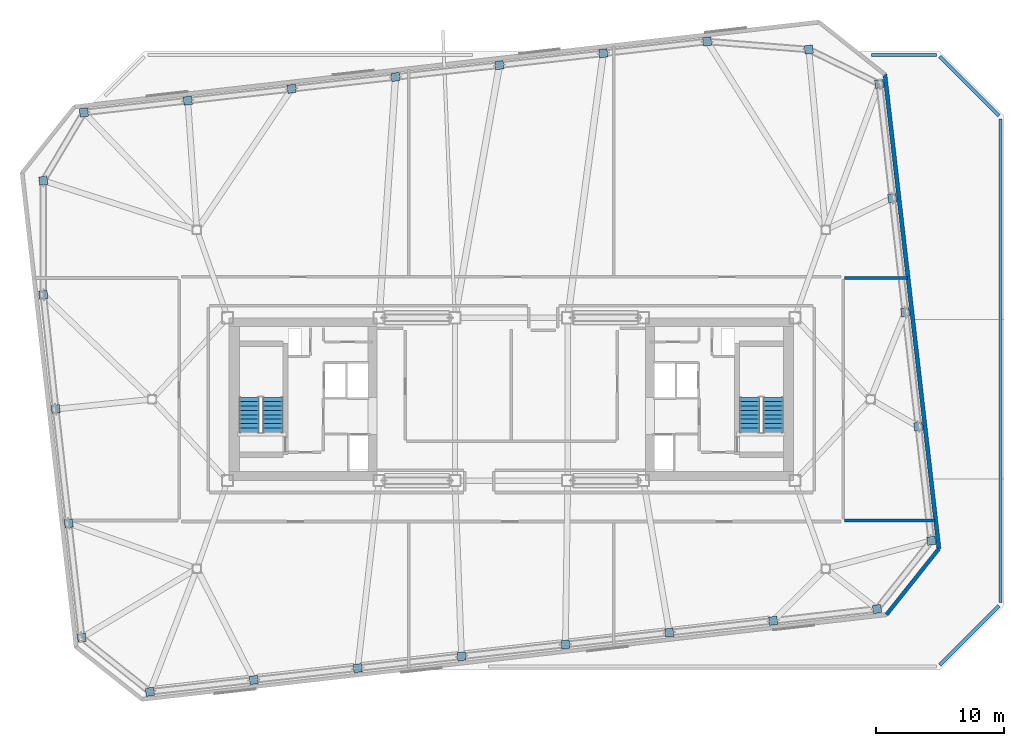
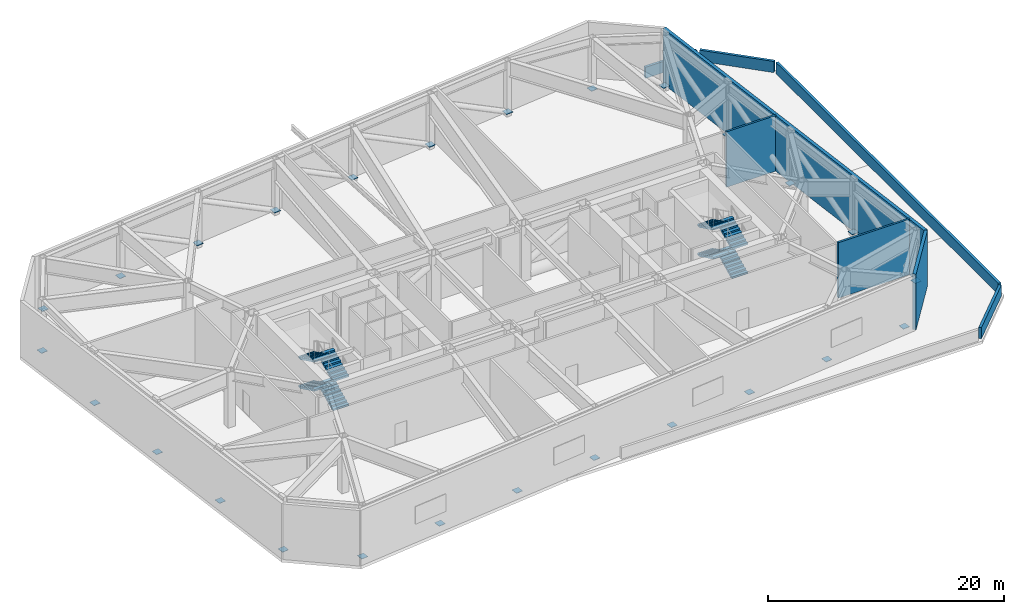
# One storey, part 8 of 13: 26 discrete accessories, 8 stair flights, 8 walls, 2 elements without a shape of their own.
"""IFC4 building model written with IfcOpenShell, lengths in metres."""

from ifc_helpers import new_model, si_unit, direction, frame, frame_2d, origin, origin_2d, place, context, subcontext, project, spatial, polyline, rectangle, outline, extrude, material, layer, layer_set, type_object, element, aggregate, save


model = new_model("IFC4")

# Units and contexts
model_context = context("Model", 3, precision=1e-05, world=origin(), true_north=direction((0.0, 1.0)))
body_context = subcontext(model_context, "Body", "Model", "MODEL_VIEW")
ifc_project = project(units=[si_unit("LENGTHUNIT", "METRE"), si_unit("AREAUNIT", "SQUARE_METRE"), si_unit("VOLUMEUNIT", "CUBIC_METRE"), si_unit("PLANEANGLEUNIT", "RADIAN"), si_unit("MASSUNIT", "GRAM", prefix="KILO")], contexts=[model_context])

# Site, building, storey
site_placement = place(None, origin())
site = spatial("IfcSite", under=ifc_project, at=site_placement, CompositionType="ELEMENT")
building_placement = place(site_placement, origin())
building = spatial("IfcBuilding", under=site, at=building_placement, Name="Tavrogorsk Clinical Tower", CompositionType="ELEMENT")
storey_placement = place(building_placement, frame((0.0, 0.0, 208.199951171875)))
storey = spatial("IfcBuildingStorey", under=building, at=storey_placement, Name="L48", CompositionType="ELEMENT", Elevation=208.199951171875)

# Walls
ifc_material_1 = material(Name="Concrete B60", Category="concrete")
ifc_layer_1 = layer(ifc_material_1, 0.199951171875)
ifc_layer_set_1 = layer_set([ifc_layer_1], Name="Concrete B60")
wall_type_1 = type_object("IfcWallType", Name="CoreFireWall_200", PredefinedType="SOLIDWALL", material=ifc_layer_set_1)
wall_1_placement = place(storey_placement, frame((25.985107421875, -9.449951171875, 0.0), z_axis=(0.0, 0.0, 1.0), x_axis=(1.0, 0.0, 0.0)))
element("IfcWall", 1, at=wall_1_placement, inside=storey, type_object=wall_type_1, Name="L48 Refuge & Plant Fire Wall 2", PredefinedType="SOLIDWALL", context=body_context, shape_type="SweptSolid", body=[
    extrude(rectangle(XDim=7.031982421875, YDim=0.199951171875, at=frame_2d((3.51611328125, 0.0))), origin(), (0.0, 0.0, 1.0), 5.739990234375),
])
wall_2_placement = place(storey_placement, frame((25.985107421875, 9.449951171875, 0.0), z_axis=(0.0, 0.0, 1.0), x_axis=(1.0, 0.0, 0.0)))
element("IfcWall", 2, at=wall_2_placement, inside=storey, type_object=wall_type_1, Name="L48 Refuge & Plant Fire Wall 4", PredefinedType="SOLIDWALL", context=body_context, shape_type="SweptSolid", body=[
    extrude(rectangle(XDim=4.878662109375, YDim=0.199951171875, at=frame_2d((2.439453125, 0.0))), origin(), (0.0, 0.0, 1.0), 5.739990234375),
])
ifc_material_2 = material(Name="Precast concrete B45 acoustic plenum wall", Category="concrete")
ifc_layer_2 = layer(ifc_material_2, 0.320068359375)
ifc_layer_set_2 = layer_set([ifc_layer_2], Name="Precast concrete B45 acoustic plenum wall")
wall_type_2 = type_object("IfcWallType", Name="PlantLouvreWall_320", PredefinedType="STANDARD", material=ifc_layer_set_2)
wall_3_placement = place(storey_placement, frame((33.328125, -11.649658203125, 0.0), z_axis=(0.0, 0.0, 1.0), x_axis=(-0.11320360501, 0.9935718111, 0.0)))
element("IfcWall", 3, at=wall_3_placement, inside=storey, type_object=wall_type_2, Name="L48 E Pleated Limestone Wing Wall", PredefinedType="STANDARD", context=body_context, shape_type="SweptSolid", body=[
    extrude(rectangle(XDim=37.199951171875, YDim=0.320068359375, at=frame_2d((18.60009765625, 0.0))), origin(), (0.0, 0.0, 1.0), 5.739990234375),
])
ifc_material_3 = material(Name="Concrete B60", Category="concrete")
ifc_layer_3 = layer(ifc_material_3, 0.25)
ifc_layer_set_3 = layer_set([ifc_layer_3], Name="Concrete B60")
wall_type_3 = type_object("IfcWallType", Name="RoofParapetWall_250", PredefinedType="PARAPET", material=ifc_layer_set_3)
wall_4_placement = place(storey_placement, frame((28.075927734375, 26.820068359375, 0.0), z_axis=(0.0, 0.0, 1.0), x_axis=(1.0, 0.0, 0.0)))
element("IfcWall", 4, at=wall_4_placement, inside=storey, type_object=wall_type_3, Name="L48 Setback Coping Parapet 3", PredefinedType="PARAPET", context=body_context, shape_type="SweptSolid", body=[
    extrude(rectangle(XDim=5.048095703125, YDim=0.25, at=frame_2d((2.52392578125, 0.0))), origin(), (0.0, 0.0, 1.0), 1.150146484375),
])
wall_5_placement = place(storey_placement, frame((33.397216796875, 26.706787109375, 0.0), z_axis=(0.0, 0.0, 1.0), x_axis=(0.707106781187, -0.707106781187, 0.0)))
element("IfcWall", 5, at=wall_5_placement, inside=storey, type_object=wall_type_3, Name="L48 Setback Coping Parapet 4", PredefinedType="PARAPET", context=body_context, shape_type="SweptSolid", body=[
    extrude(rectangle(XDim=6.51904296875, YDim=0.25, at=frame_2d((3.259521484375, 0.0))), origin(), (0.0, 0.0, 1.0), 1.150146484375),
])
wall_6_placement = place(storey_placement, frame((38.1201171875, 21.823974609375, 0.0), z_axis=(0.0, 0.0, 1.0), x_axis=(0.0, -1.0, 0.0)))
element("IfcWall", 6, at=wall_6_placement, inside=storey, type_object=wall_type_3, Name="L48 Setback Coping Parapet 5", PredefinedType="PARAPET", context=body_context, shape_type="SweptSolid", body=[
    extrude(rectangle(XDim=37.64794921875, YDim=0.25, at=frame_2d((18.823974609375, 0.0))), origin(), (0.0, 0.0, 1.0), 1.150146484375),
])
wall_7_placement = place(storey_placement, frame((38.0068359375, -16.09716796875, 0.0), z_axis=(0.0, 0.0, 1.0), x_axis=(-0.707106781187, -0.707106781187, 0.0)))
element("IfcWall", 7, at=wall_7_placement, inside=storey, type_object=wall_type_3, Name="L48 Setback Coping Parapet 6", PredefinedType="PARAPET", context=body_context, shape_type="SweptSolid", body=[
    extrude(rectangle(XDim=6.51904296875, YDim=0.25, at=frame_2d((3.259521484375, 0.0))), origin(), (0.0, 0.0, 1.0), 1.150146484375),
])
ifc_material_4 = material(Name="Precast concrete B45 with mineral wool", Category="concrete")
ifc_layer_4 = layer(ifc_material_4, 0.300048828125)
ifc_layer_set_4 = layer_set([ifc_layer_4], Name="Precast concrete B45 with mineral wool")
wall_type_4 = type_object("IfcWallType", Name="SpandrelBackWall_300", PredefinedType="STANDARD", material=ifc_layer_set_4)
wall_8_placement = place(storey_placement, frame((29.2431640625, -16.78515625, 0.0), z_axis=(0.0, 0.0, 1.0), x_axis=(0.622514761805, 0.78260805729, 0.0)))
element("IfcWall", 8, at=wall_8_placement, inside=storey, type_object=wall_type_4, Name="L48 Chamfered Corner Wall 1", PredefinedType="STANDARD", context=body_context, shape_type="SweptSolid", body=[
    extrude(rectangle(XDim=6.56201171875, YDim=0.300048828125, at=frame_2d((3.281005859375, 0.0))), origin(), (0.0, 0.0, 1.0), 5.739990234375),
])

# Stair, stair flights
ifc_material_5 = material(Name="Concrete B60", Category="concrete")
stair_type = type_object("IfcStairType", Name="CoreStairAssembly", PredefinedType="HALF_TURN_STAIR", material=ifc_material_5)
stair_1_placement = place(storey_placement, origin())
stair_1 = element("IfcStair", 9, at=stair_1_placement, inside=storey, type_object=stair_type, Name="L48 ST-W", PredefinedType="HALF_TURN_STAIR")
ifc_material_6 = material(Name="Concrete B60", Category="concrete")
stair_flight_type = type_object("IfcStairFlightType", Name="CoreStairFlight", PredefinedType="STRAIGHT", material=ifc_material_6)
stair_flight_1_placement = place(storey_placement, frame((-18.574951171875, -2.574951171875, 0.0), z_axis=(0.0, 0.0, 1.0), x_axis=(0.0, 1.0, 0.0)))
stair_flight_1 = element("IfcStairFlight", 10, at=stair_flight_1_placement, type_object=stair_flight_type, Name="ST-W flight 1", NumberOfRisers=9, NumberOfTreads=8, PredefinedType="STRAIGHT", RiserHeight=0.166666667, TreadLength=0.34, context=body_context, shape_type="SweptSolid", body=[
    extrude(outline(polyline([(0.0, 0.0), (0.0, 0.166748046875), (0.340087890625, 0.166748046875), (0.340087890625, 0.333251953125), (0.679931640625, 0.333251953125), (0.679931640625, 0.5), (1.02001953125, 0.5), (1.02001953125, 0.666748046875), (1.360107421875, 0.666748046875), (1.360107421875, 0.833251953125), (1.699951171875, 0.833251953125), (1.699951171875, 1.0), (2.0400390625, 1.0), (2.0400390625, 1.166748046875), (2.3798828125, 1.166748046875), (2.3798828125, 1.333251953125), (2.719970703125, 1.333251953125), (2.719970703125, 1.5), (2.719970703125, 1.16650390625), (0.340576171875, 0.0), (0.0, 0.0)])), frame((0.0, 0.77490234375, 0.0), z_axis=(0.0, -1.0, 0.0), x_axis=(1.0, 0.0, 0.0)), (0.0, 0.0, 1.0), 1.550048828125),
])
stair_flight_2_placement = place(storey_placement, frame((-20.425048828125, 0.14501953125, 1.5), z_axis=(0.0, 0.0, 1.0), x_axis=(0.0, -1.0, 0.0)))
stair_flight_2 = element("IfcStairFlight", 11, at=stair_flight_2_placement, type_object=stair_flight_type, Name="ST-W flight 2", NumberOfRisers=9, NumberOfTreads=8, PredefinedType="STRAIGHT", RiserHeight=0.166666667, TreadLength=0.34, context=body_context, shape_type="SweptSolid", body=[
    extrude(outline(polyline([(0.0, 0.0), (0.0, 0.166748046875), (0.340087890625, 0.166748046875), (0.340087890625, 0.333251953125), (0.679931640625, 0.333251953125), (0.679931640625, 0.5), (1.02001953125, 0.5), (1.02001953125, 0.666748046875), (1.360107421875, 0.666748046875), (1.360107421875, 0.833251953125), (1.699951171875, 0.833251953125), (1.699951171875, 1.0), (2.0400390625, 1.0), (2.0400390625, 1.166748046875), (2.3798828125, 1.166748046875), (2.3798828125, 1.333251953125), (2.719970703125, 1.333251953125), (2.719970703125, 1.5), (2.719970703125, 1.16650390625), (0.340576171875, 0.0), (0.0, 0.0)])), frame((0.0, 0.77490234375, 0.0), z_axis=(0.0, -1.0, 0.0), x_axis=(1.0, 0.0, 0.0)), (0.0, 0.0, 1.0), 1.550048828125),
])
stair_flight_3_placement = place(storey_placement, frame((-18.574951171875, -2.574951171875, 3.0), z_axis=(0.0, 0.0, 1.0), x_axis=(0.0, 1.0, 0.0)))
stair_flight_3 = element("IfcStairFlight", 12, at=stair_flight_3_placement, type_object=stair_flight_type, Name="ST-W flight 3", NumberOfRisers=9, NumberOfTreads=8, PredefinedType="STRAIGHT", RiserHeight=0.166666667, TreadLength=0.34, context=body_context, shape_type="SweptSolid", body=[
    extrude(outline(polyline([(0.0, 0.0), (0.0, 0.166748046875), (0.340087890625, 0.166748046875), (0.340087890625, 0.333251953125), (0.679931640625, 0.333251953125), (0.679931640625, 0.5), (1.02001953125, 0.5), (1.02001953125, 0.666748046875), (1.360107421875, 0.666748046875), (1.360107421875, 0.833251953125), (1.699951171875, 0.833251953125), (1.699951171875, 1.0), (2.0400390625, 1.0), (2.0400390625, 1.166748046875), (2.3798828125, 1.166748046875), (2.3798828125, 1.333251953125), (2.719970703125, 1.333251953125), (2.719970703125, 1.5), (2.719970703125, 1.16650390625), (0.340576171875, 0.0), (0.0, 0.0)])), frame((0.0, 0.77490234375, 0.0), z_axis=(0.0, -1.0, 0.0), x_axis=(1.0, 0.0, 0.0)), (0.0, 0.0, 1.0), 1.550048828125),
])
stair_flight_4_placement = place(storey_placement, frame((-20.425048828125, 0.14501953125, 4.5), z_axis=(0.0, 0.0, 1.0), x_axis=(0.0, -1.0, 0.0)))
stair_flight_4 = element("IfcStairFlight", 13, at=stair_flight_4_placement, type_object=stair_flight_type, Name="ST-W flight 4", NumberOfRisers=9, NumberOfTreads=8, PredefinedType="STRAIGHT", RiserHeight=0.166666667, TreadLength=0.34, context=body_context, shape_type="SweptSolid", body=[
    extrude(outline(polyline([(0.0, 0.0), (0.0, 0.166748046875), (0.340087890625, 0.166748046875), (0.340087890625, 0.333251953125), (0.679931640625, 0.333251953125), (0.679931640625, 0.5), (1.02001953125, 0.5), (1.02001953125, 0.666748046875), (1.360107421875, 0.666748046875), (1.360107421875, 0.833251953125), (1.699951171875, 0.833251953125), (1.699951171875, 1.0), (2.0400390625, 1.0), (2.0400390625, 1.166748046875), (2.3798828125, 1.166748046875), (2.3798828125, 1.333251953125), (2.719970703125, 1.333251953125), (2.719970703125, 1.5), (2.719970703125, 1.16650390625), (0.340576171875, 0.0), (0.0, 0.0)])), frame((0.0, 0.77490234375, 0.0), z_axis=(0.0, -1.0, 0.0), x_axis=(1.0, 0.0, 0.0)), (0.0, 0.0, 1.0), 1.550048828125),
])
aggregate(stair_1, [stair_flight_1, stair_flight_2, stair_flight_3, stair_flight_4])

stair_2_placement = place(storey_placement, origin())
stair_2 = element("IfcStair", 14, at=stair_2_placement, inside=storey, type_object=stair_type, Name="L48 ST-E", PredefinedType="HALF_TURN_STAIR")
stair_flight_5_placement = place(storey_placement, frame((20.425048828125, -2.574951171875, 0.0), z_axis=(0.0, 0.0, 1.0), x_axis=(0.0, 1.0, 0.0)))
stair_flight_5 = element("IfcStairFlight", 15, at=stair_flight_5_placement, type_object=stair_flight_type, Name="ST-E flight 1", NumberOfRisers=9, NumberOfTreads=8, PredefinedType="STRAIGHT", RiserHeight=0.166666667, TreadLength=0.34, context=body_context, shape_type="SweptSolid", body=[
    extrude(outline(polyline([(0.0, 0.0), (0.0, 0.166748046875), (0.340087890625, 0.166748046875), (0.340087890625, 0.333251953125), (0.679931640625, 0.333251953125), (0.679931640625, 0.5), (1.02001953125, 0.5), (1.02001953125, 0.666748046875), (1.360107421875, 0.666748046875), (1.360107421875, 0.833251953125), (1.699951171875, 0.833251953125), (1.699951171875, 1.0), (2.0400390625, 1.0), (2.0400390625, 1.166748046875), (2.3798828125, 1.166748046875), (2.3798828125, 1.333251953125), (2.719970703125, 1.333251953125), (2.719970703125, 1.5), (2.719970703125, 1.16650390625), (0.340576171875, 0.0), (0.0, 0.0)])), frame((0.0, 0.77490234375, 0.0), z_axis=(0.0, -1.0, 0.0), x_axis=(1.0, 0.0, 0.0)), (0.0, 0.0, 1.0), 1.550048828125),
])
stair_flight_6_placement = place(storey_placement, frame((18.574951171875, 0.14501953125, 1.5), z_axis=(0.0, 0.0, 1.0), x_axis=(0.0, -1.0, 0.0)))
stair_flight_6 = element("IfcStairFlight", 16, at=stair_flight_6_placement, type_object=stair_flight_type, Name="ST-E flight 2", NumberOfRisers=9, NumberOfTreads=8, PredefinedType="STRAIGHT", RiserHeight=0.166666667, TreadLength=0.34, context=body_context, shape_type="SweptSolid", body=[
    extrude(outline(polyline([(0.0, 0.0), (0.0, 0.166748046875), (0.340087890625, 0.166748046875), (0.340087890625, 0.333251953125), (0.679931640625, 0.333251953125), (0.679931640625, 0.5), (1.02001953125, 0.5), (1.02001953125, 0.666748046875), (1.360107421875, 0.666748046875), (1.360107421875, 0.833251953125), (1.699951171875, 0.833251953125), (1.699951171875, 1.0), (2.0400390625, 1.0), (2.0400390625, 1.166748046875), (2.3798828125, 1.166748046875), (2.3798828125, 1.333251953125), (2.719970703125, 1.333251953125), (2.719970703125, 1.5), (2.719970703125, 1.16650390625), (0.340576171875, 0.0), (0.0, 0.0)])), frame((0.0, 0.77490234375, 0.0), z_axis=(0.0, -1.0, 0.0), x_axis=(1.0, 0.0, 0.0)), (0.0, 0.0, 1.0), 1.550048828125),
])
stair_flight_7_placement = place(storey_placement, frame((20.425048828125, -2.574951171875, 3.0), z_axis=(0.0, 0.0, 1.0), x_axis=(0.0, 1.0, 0.0)))
stair_flight_7 = element("IfcStairFlight", 17, at=stair_flight_7_placement, type_object=stair_flight_type, Name="ST-E flight 3", NumberOfRisers=9, NumberOfTreads=8, PredefinedType="STRAIGHT", RiserHeight=0.166666667, TreadLength=0.34, context=body_context, shape_type="SweptSolid", body=[
    extrude(outline(polyline([(0.0, 0.0), (0.0, 0.166748046875), (0.340087890625, 0.166748046875), (0.340087890625, 0.333251953125), (0.679931640625, 0.333251953125), (0.679931640625, 0.5), (1.02001953125, 0.5), (1.02001953125, 0.666748046875), (1.360107421875, 0.666748046875), (1.360107421875, 0.833251953125), (1.699951171875, 0.833251953125), (1.699951171875, 1.0), (2.0400390625, 1.0), (2.0400390625, 1.166748046875), (2.3798828125, 1.166748046875), (2.3798828125, 1.333251953125), (2.719970703125, 1.333251953125), (2.719970703125, 1.5), (2.719970703125, 1.16650390625), (0.340576171875, 0.0), (0.0, 0.0)])), frame((0.0, 0.77490234375, 0.0), z_axis=(0.0, -1.0, 0.0), x_axis=(1.0, 0.0, 0.0)), (0.0, 0.0, 1.0), 1.550048828125),
])
stair_flight_8_placement = place(storey_placement, frame((18.574951171875, 0.14501953125, 4.5), z_axis=(0.0, 0.0, 1.0), x_axis=(0.0, -1.0, 0.0)))
stair_flight_8 = element("IfcStairFlight", 18, at=stair_flight_8_placement, type_object=stair_flight_type, Name="ST-E flight 4", NumberOfRisers=9, NumberOfTreads=8, PredefinedType="STRAIGHT", RiserHeight=0.166666667, TreadLength=0.34, context=body_context, shape_type="SweptSolid", body=[
    extrude(outline(polyline([(0.0, 0.0), (0.0, 0.166748046875), (0.340087890625, 0.166748046875), (0.340087890625, 0.333251953125), (0.679931640625, 0.333251953125), (0.679931640625, 0.5), (1.02001953125, 0.5), (1.02001953125, 0.666748046875), (1.360107421875, 0.666748046875), (1.360107421875, 0.833251953125), (1.699951171875, 0.833251953125), (1.699951171875, 1.0), (2.0400390625, 1.0), (2.0400390625, 1.166748046875), (2.3798828125, 1.166748046875), (2.3798828125, 1.333251953125), (2.719970703125, 1.333251953125), (2.719970703125, 1.5), (2.719970703125, 1.16650390625), (0.340576171875, 0.0), (0.0, 0.0)])), frame((0.0, 0.77490234375, 0.0), z_axis=(0.0, -1.0, 0.0), x_axis=(1.0, 0.0, 0.0)), (0.0, 0.0, 1.0), 1.550048828125),
])
aggregate(stair_2, [stair_flight_5, stair_flight_6, stair_flight_7, stair_flight_8])

# Discrete accessories
ifc_material_7 = material(Name="Structural steel S440", Category="steel")
discrete_accessory_type = type_object("IfcDiscreteAccessoryType", Name="TrussEndCapBracket", PredefinedType="BRACKET", material=ifc_material_7)
for number, where, z_axis, x_axis, name in (
    (19, (-28.164794921875, -22.802490234375, 0.330078125), (0.0, 0.0, 1.0), (0.993571855677, 0.113203213768, 0.0), "L48 Hollow Node End Cap S1"),
    (20, (-20.068603515625, -21.880126953125, 0.330078125), (0.0, 0.0, 1.0), (0.993571855677, 0.113203213768, 0.0), "L48 Hollow Node End Cap S2"),
    (21, (-11.972412109375, -20.95751953125, 0.330078125), (0.0, 0.0, 1.0), (0.993571855677, 0.113203213768, 0.0), "L48 Hollow Node End Cap S3"),
    (22, (-3.876220703125, -20.03515625, 0.330078125), (0.0, 0.0, 1.0), (0.993571855677, 0.113203213768, 0.0), "L48 Hollow Node End Cap S4"),
    (23, (4.22021484375, -19.11279296875, 0.330078125), (0.0, 0.0, 1.0), (0.993571855677, 0.113203213768, 0.0), "L48 Hollow Node End Cap S5"),
    (24, (12.31640625, -18.190185546875, 0.330078125), (0.0, 0.0, 1.0), (0.993571855677, 0.113203213768, 0.0), "L48 Hollow Node End Cap S6"),
    (25, (20.412353515625, -17.267822265625, 0.330078125), (0.0, 0.0, 1.0), (0.993571855677, 0.113203213768, 0.0), "L48 Hollow Node End Cap S7"),
    (26, (28.508544921875, -16.345458984375, 0.330078125), (0.0, 0.0, 1.0), (0.993571855677, 0.113203213768, 0.0), "L48 Hollow Node End Cap S8"),
    (27, (32.734375, -11.032958984375, 0.330078125), (0.0, 0.0, 1.0), (0.993571855677, 0.113203213768, 0.0), "L48 Hollow Node End Cap E1"),
    (28, (31.72021484375, -2.130615234375, 0.330078125), (0.0, 0.0, 1.0), (0.993571855677, 0.113203213768, 0.0), "L48 Hollow Node End Cap E2"),
    (29, (30.705810546875, 6.77197265625, 0.330078125), (0.0, 0.0, 1.0), (0.993571855677, 0.113203213768, 0.0), "L48 Hollow Node End Cap E3"),
    (30, (29.69140625, 15.67431640625, 0.330078125), (0.0, 0.0, 1.0), (0.993571855677, 0.113203213768, 0.0), "L48 Hollow Node End Cap E4"),
    (31, (28.67724609375, 24.57666015625, 0.330078125), (0.0, 0.0, 1.0), (0.993571855677, 0.113203213768, 0.0), "L48 Hollow Node End Cap E5"),
    (32, (23.188232421875, 27.25341796875, 0.330078125), (0.0, 0.0, 1.0), (0.993571855677, 0.113203213768, 0.0), "L48 Hollow Node End Cap N1"),
    (33, (15.2685546875, 27.880126953125, 0.330078125), (0.0, 0.0, 1.0), (0.993571855677, 0.113203213768, 0.0), "L48 Hollow Node End Cap N2"),
    (34, (7.17236328125, 26.95751953125, 0.330078125), (0.0, 0.0, 1.0), (0.993571855677, 0.113203213768, 0.0), "L48 Hollow Node End Cap N3"),
    (35, (-0.923828125, 26.03515625, 0.330078125), (0.0, 0.0, 1.0), (0.993571855677, 0.113203213768, 0.0), "L48 Hollow Node End Cap N4"),
    (36, (-9.02001953125, 25.11279296875, 0.330078125), (0.0, 0.0, 1.0), (0.993571855677, 0.113203213768, 0.0), "L48 Hollow Node End Cap N5"),
    (37, (-17.1162109375, 24.190185546875, 0.330078125), (0.0, 0.0, 1.0), (0.993571855677, 0.113203213768, 0.0), "L48 Hollow Node End Cap N6"),
    (38, (-25.21240234375, 23.267822265625, 0.330078125), (0.0, 0.0, 1.0), (0.993571855677, 0.113203213768, 0.0), "L48 Hollow Node End Cap N7"),
    (39, (-33.30859375, 22.345458984375, 0.330078125), (0.0, 0.0, 1.0), (0.993571855677, 0.113203213768, 0.0), "L48 Hollow Node End Cap N8"),
    (40, (-36.469970703125, 17.032958984375, 0.330078125), (0.0, 0.0, 1.0), (0.993571855677, 0.113203213768, 0.0), "L48 Hollow Node End Cap W1"),
    (41, (-36.469970703125, 8.130615234375, 0.330078125), (0.0, 0.0, 1.0), (0.993571855677, 0.113203213768, 0.0), "L48 Hollow Node End Cap W2"),
    (42, (-35.505859375, -0.77197265625, 0.330078125), (0.0, 0.0, 1.0), (0.993571855677, 0.113203213768, 0.0), "L48 Hollow Node End Cap W3"),
    (43, (-34.491455078125, -9.67431640625, 0.330078125), (0.0, 0.0, 1.0), (0.993571855677, 0.113203213768, 0.0), "L48 Hollow Node End Cap W4"),
    (44, (-33.477294921875, -18.57666015625, 0.330078125), (0.0, 0.0, 1.0), (0.993571855677, 0.113203213768, 0.0), "L48 Hollow Node End Cap W5"),
):
    element("IfcDiscreteAccessory", number, at=place(storey_placement, frame(where, z_axis=z_axis, x_axis=x_axis)), inside=storey, type_object=discrete_accessory_type, Name=name, PredefinedType="BRACKET", context=body_context, shape_type="SweptSolid", body=[
        extrude(rectangle(XDim=0.64990234375, YDim=0.64990234375, at=origin_2d()), origin(), (0.0, 0.0, 1.0), 0.0400390625),
    ])

save(model, "model.ifc")
